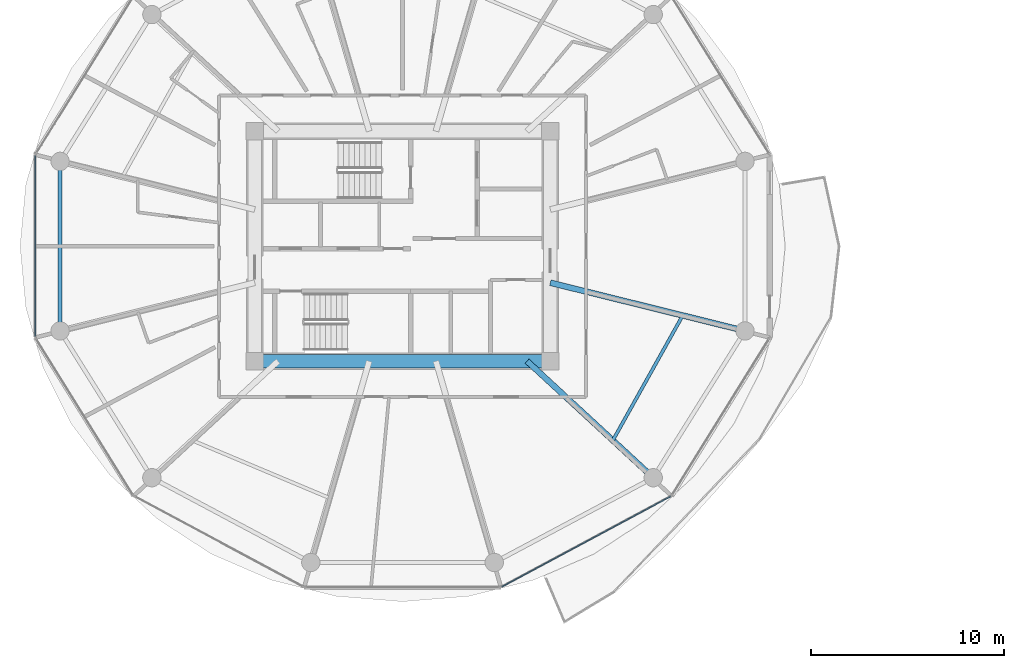
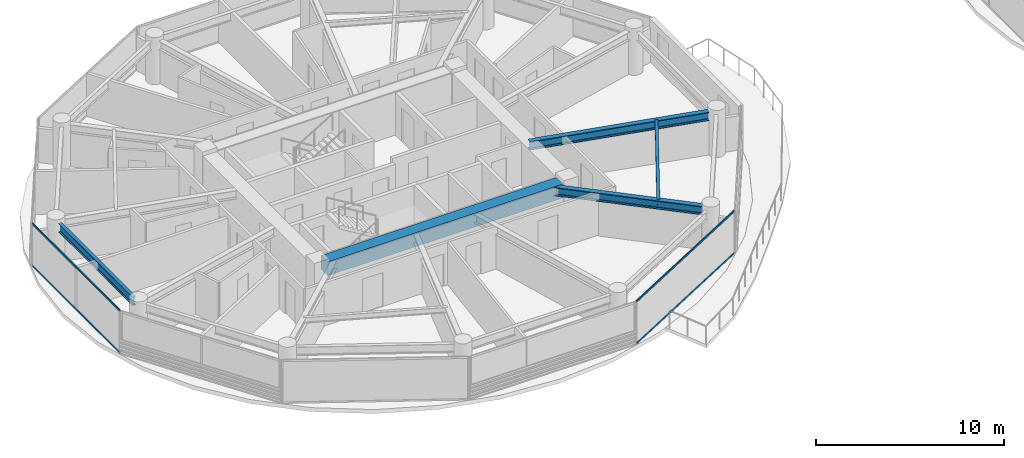
# One storey, part 3 of 27: 5 beams, 4 members, 2 elements without a shape of their own.
"""IFC4 building model written with IfcOpenShell, lengths in metres."""

import ifcopenshell
import ifcopenshell.guid

model = None  # the IFC model being written
_history = None  # IfcOwnerHistory: only IFC2X3 demands one
_inside = {}  # id of a spatial element -> (the spatial element, [elements in it])
_under = {}  # id of a project, library or spatial element -> (it, [spatial elements below it])
_declared = {}  # id of a project -> (the project, [libraries it declares])
_typed = {}  # id of a type object -> (the type object, [elements of that type])
_made_of = {}  # id of a material, layer set ... -> (it, [elements and type objects made of it])


def new_model(schema):
    """Start an empty IFC model of exactly this schema.

    Asked for "IFC4X3", IfcOpenShell would pick the latest addendum, in which some entities
    have other attributes; the version numbers below select the first issue.
    IFC2X3 requires an IfcOwnerHistory on every rooted entity: one is made here for all.
    """
    global model, _history
    if schema == "IFC4X3":
        model = ifcopenshell.file(schema_version=(4, 3, 0, 0))
    else:
        model = ifcopenshell.file(schema=schema)
    _inside.clear()
    _under.clear()
    _declared.clear()
    _typed.clear()
    _made_of.clear()
    _history = None
    if model.schema == "IFC2X3":
        org = make("IfcOrganization", Name="unknown")
        user = make(
            "IfcPersonAndOrganization",
            ThePerson=make("IfcPerson", FamilyName="unknown"),
            TheOrganization=org,
        )
        app = make(
            "IfcApplication",
            ApplicationDeveloper=org,
            Version="unknown",
            ApplicationFullName="unknown",
            ApplicationIdentifier="unknown",
        )
        _history = make(
            "IfcOwnerHistory",
            OwningUser=user,
            OwningApplication=app,
            ChangeAction="ADDED",
            CreationDate=0,
        )
    return model


def make(cls, **values):
    """One entity of the class cls with the attributes given. An attribute that is None is left unset."""
    return model.create_entity(
        cls, **{name: value for name, value in values.items() if value is not None}
    )


def rooted(cls, **values):
    """An entity with a GlobalId (a new one), such as an element, a storey or a relation."""
    return make(cls, GlobalId=ifcopenshell.guid.new(), OwnerHistory=_history, **values)


def si_unit(unit_type, name, prefix=None):
    """IfcSIUnit, for example si_unit("LENGTHUNIT", "METRE", prefix="MILLI")."""
    return make("IfcSIUnit", UnitType=unit_type, Prefix=prefix, Name=name)


def assignment(units):
    """IfcUnitAssignment: the units of a project."""
    return None if units is None else make("IfcUnitAssignment", Units=units)


def point(xyz):
    """IfcCartesianPoint."""
    return None if xyz is None else make("IfcCartesianPoint", Coordinates=xyz)


def direction(xyz):
    """IfcDirection."""
    return None if xyz is None else make("IfcDirection", DirectionRatios=xyz)


def frame(location, z_axis=None, x_axis=None):
    """IfcAxis2Placement3D, a coordinate frame: its origin and axes. An axis left out is left unset."""
    return make(
        "IfcAxis2Placement3D",
        Location=point(location),
        Axis=direction(z_axis),
        RefDirection=direction(x_axis),
    )


def frame_2d(location, x_axis=None):
    """IfcAxis2Placement2D, a coordinate frame in the plane: its origin and x axis."""
    return make(
        "IfcAxis2Placement2D", Location=point(location), RefDirection=direction(x_axis)
    )


def origin():
    """The frame at (0, 0, 0) with its axes left unset."""
    return frame((0.0, 0.0, 0.0))


def origin_2d():
    """The frame at (0, 0) in the plane with its x axis left unset."""
    return frame_2d((0.0, 0.0))


def place(relative_to, where):
    """IfcLocalPlacement: puts the frame where relative to a parent placement (None: the world)."""
    return make(
        "IfcLocalPlacement", PlacementRelTo=relative_to, RelativePlacement=where
    )


def context(
    kind, dimensions, precision=None, world=None, true_north=None, identifier=None
):
    """IfcGeometricRepresentationContext, for example the 3D "Model" context."""
    return make(
        "IfcGeometricRepresentationContext",
        ContextIdentifier=identifier,
        ContextType=kind,
        CoordinateSpaceDimension=dimensions,
        Precision=precision,
        WorldCoordinateSystem=world,
        TrueNorth=true_north,
    )


def subcontext(parent, identifier, kind, view, scale=None):
    """IfcGeometricRepresentationSubContext, for example "Body" below "Model"."""
    return make(
        "IfcGeometricRepresentationSubContext",
        ContextIdentifier=identifier,
        ContextType=kind,
        ParentContext=parent,
        TargetScale=scale,
        TargetView=view,
    )


def project(units=None, contexts=None):
    """IfcProject with its units and contexts."""
    return rooted(
        "IfcProject",
        Name="project",
        RepresentationContexts=contexts,
        UnitsInContext=assignment(units),
    )


def spatial(cls, under=None, at=None, **own):
    """A site, building, storey or space (cls), placed at a placement, below another one or the project."""
    s = rooted(cls, ObjectPlacement=at, **own)
    if under is not None:
        _under.setdefault(under.id(), (under, []))[1].append(s)
    return s


def profile(cls, at=None, kind="AREA", **sizes):
    """A parametric profile (cls). Its sizes go by their IFC names, for example OverallWidth=200.0."""
    return make(cls, ProfileType=kind, Position=at, **sizes)


def rectangle(**sizes):
    """IfcRectangleProfileDef."""
    return profile("IfcRectangleProfileDef", **sizes)


def i_section(**sizes):
    """IfcIShapeProfileDef."""
    return profile("IfcIShapeProfileDef", **sizes)


def extrude(swept, where, along, depth):
    """IfcExtrudedAreaSolid: the profile swept, set in the frame where, extruded along a direction by depth."""
    return make(
        "IfcExtrudedAreaSolid",
        SweptArea=swept,
        Position=where,
        ExtrudedDirection=direction(along),
        Depth=depth,
    )


def shape(context_of_items, identifier, shape_type, items):
    """IfcShapeRepresentation: the items that make up one representation, for example the "Body"."""
    return make(
        "IfcShapeRepresentation",
        ContextOfItems=context_of_items,
        RepresentationIdentifier=identifier,
        RepresentationType=shape_type,
        Items=items,
    )


def source(mapping_origin, context_of_items, identifier, shape_type, items):
    """IfcRepresentationMap: a shape defined once, which mapped items show again and again."""
    return make(
        "IfcRepresentationMap",
        MappingOrigin=mapping_origin,
        MappedRepresentation=shape(context_of_items, identifier, shape_type, items),
    )


def transform(
    local_origin,
    x_axis=None,
    y_axis=None,
    z_axis=None,
    scale=None,
    scale2=None,
    scale3=None,
    uniform=True,
):
    """IfcCartesianTransformationOperator3D, or its non-uniform kind. x_axis, y_axis, z_axis: its Axis1, 2, 3."""
    if uniform:
        return make(
            "IfcCartesianTransformationOperator3D",
            Axis1=direction(x_axis),
            Axis2=direction(y_axis),
            LocalOrigin=point(local_origin),
            Scale=scale,
            Axis3=direction(z_axis),
        )
    return make(
        "IfcCartesianTransformationOperator3DnonUniform",
        Axis1=direction(x_axis),
        Axis2=direction(y_axis),
        LocalOrigin=point(local_origin),
        Scale=scale,
        Axis3=direction(z_axis),
        Scale2=scale2,
        Scale3=scale3,
    )


def mapped(mapping_source, mapping_target):
    """IfcMappedItem: shows the shape of a source again, moved by a transform."""
    return make(
        "IfcMappedItem", MappingSource=mapping_source, MappingTarget=mapping_target
    )


def material(Name=None, Category=None):
    """IfcMaterial."""
    return make("IfcMaterial", Name=Name, Category=Category)


def layer(
    of_material, thickness, ventilated=None, Name=None, Category=None, Priority=None
):
    """IfcMaterialLayer: one layer of a wall or slab, of a material (None: an air gap)."""
    return make(
        "IfcMaterialLayer",
        Material=of_material,
        LayerThickness=thickness,
        IsVentilated=ventilated,
        Name=Name,
        Category=Category,
        Priority=Priority,
    )


def layer_set(layers, Name=None):
    """IfcMaterialLayerSet."""
    return make("IfcMaterialLayerSet", MaterialLayers=layers, LayerSetName=Name)


def material_profile(
    of_material, cross_section, Name=None, Category=None, Priority=None
):
    """IfcMaterialProfile: a cross section and its material."""
    return make(
        "IfcMaterialProfile",
        Name=Name,
        Material=of_material,
        Profile=cross_section,
        Priority=Priority,
        Category=Category,
    )


def profile_set(profiles, Name=None, composite=None):
    """IfcMaterialProfileSet."""
    return make(
        "IfcMaterialProfileSet",
        Name=Name,
        MaterialProfiles=profiles,
        CompositeProfile=composite,
    )


def made_of(thing, what):
    """Note that an element or type object is made of a material, layer set ...; save() writes the relation."""
    if what is not None:
        _made_of.setdefault(what.id(), (what, []))[1].append(thing)
    return thing


def type_object(cls, material=None, **own):
    """A type object (cls), such as IfcWallType, which elements share."""
    return made_of(rooted(cls, **own), material)


def type_shapes(of_type, sources):
    """Give a type object the sources (RepresentationMaps) that its elements show as mapped items."""
    of_type.RepresentationMaps = sources


def element(
    cls,
    number,
    at=None,
    inside=None,
    cuts=None,
    type_object=None,
    material=None,
    context=None,
    identifier="Body",
    shape_type=None,
    held_by="IfcProductDefinitionShape",
    body=None,
    shapes=None,
    **own,
):
    """One element of the class cls, such as IfcWall. Its Tag is "e" and its number.

    at: its placement. inside: the storey or other place that contains it. cuts: it is an
    opening in that element (IfcRelVoidsElement). A single representation is given by context,
    identifier, shape_type and body (its items); several are given by shapes. held_by: the class
    of the entity that holds the representations. save() writes the other relations.
    """
    e = rooted(cls, Tag="e%d" % number, ObjectPlacement=at, **own)
    if body is not None:
        shapes = [shape(context, identifier, shape_type, body)]
    if shapes is not None:
        e.Representation = make(held_by, Representations=shapes)
    if inside is not None:
        _inside.setdefault(inside.id(), (inside, []))[1].append(e)
    if cuts is not None:
        rooted(
            "IfcRelVoidsElement", RelatingBuildingElement=cuts, RelatedOpeningElement=e
        )
    if type_object is not None:
        _typed.setdefault(type_object.id(), (type_object, []))[1].append(e)
    return made_of(e, material)


def aggregate(whole, parts):
    """IfcRelAggregates: a whole, such as a stair, and the parts it consists of."""
    return rooted("IfcRelAggregates", RelatingObject=whole, RelatedObjects=parts)


def save(model, path):
    """Write the relations noted so far, then the file.

    IfcRelAggregates (storeys below a building ...), IfcRelContainedInSpatialStructure (elements
    in a storey), IfcRelDefinesByType, IfcRelAssociatesMaterial and IfcRelDeclares: one each for
    every whole, place, type object, material and project.
    """
    for whole, parts in _under.values():
        aggregate(whole, parts)
    for where, things in _inside.values():
        rooted(
            "IfcRelContainedInSpatialStructure",
            RelatedElements=things,
            RelatingStructure=where,
        )
    for kind, things in _typed.values():
        rooted("IfcRelDefinesByType", RelatedObjects=things, RelatingType=kind)
    for what, things in _made_of.values():
        rooted("IfcRelAssociatesMaterial", RelatedObjects=things, RelatingMaterial=what)
    for by, libraries in _declared.values():
        rooted("IfcRelDeclares", RelatingContext=by, RelatedDefinitions=libraries)
    model.write(path)


model = new_model("IFC4")

# Units and contexts
model_context = context("Model", 3, precision=1e-05, world=origin(), true_north=direction((0.0, 1.0)))
body_context = subcontext(model_context, "Body", "Model", "MODEL_VIEW")
ifc_project = project(units=[si_unit("LENGTHUNIT", "METRE"), si_unit("AREAUNIT", "SQUARE_METRE"), si_unit("VOLUMEUNIT", "CUBIC_METRE"), si_unit("PLANEANGLEUNIT", "RADIAN"), si_unit("MASSUNIT", "GRAM", prefix="KILO")], contexts=[model_context])

# Site, building, storey
site_placement = place(None, origin())
site = spatial("IfcSite", under=ifc_project, at=site_placement, CompositionType="ELEMENT")
building_placement = place(site_placement, origin())
building = spatial("IfcBuilding", under=site, at=building_placement, Name="Norrkilde Senior Care Towers", CompositionType="ELEMENT")
storey_placement = place(building_placement, frame((0.0, 0.0, 61.25)))
storey = spatial("IfcBuildingStorey", under=building, at=storey_placement, Name="L18", CompositionType="ELEMENT", Elevation=61.25)

# Beams
ifc_material_1 = material(Name="Concrete C60/75", Category="concrete")
ifc_material_profile_1 = material_profile(ifc_material_1, rectangle(XDim=0.699951171875, YDim=0.89990234375, at=origin_2d()), Name="RC BM 700x900")
ifc_profile_set_1 = profile_set([ifc_material_profile_1], Name="Concrete C60/75")
beam_type_1 = type_object("IfcBeamType", Name="Core Coupling Girder 700x900", PredefinedType="USERDEFINED", material=ifc_profile_set_1)
shared_shape_1 = source(origin(), body_context, "Body", "SweptSolid", [
    extrude(rectangle(XDim=0.699951171875, YDim=0.89990234375, at=origin_2d()), origin(), (0.0, 0.0, 1.0), 14.43994140625),
])
type_shapes(beam_type_1, [shared_shape_1])
beam_1_placement = place(storey_placement, frame((-35.219970703125, -5.949951171875, 2.340087890625), z_axis=(1.0, 0.0, 0.0), x_axis=(0.0, 1.0, 0.0)))
element("IfcBeam", 1, at=beam_1_placement, inside=storey, type_object=beam_type_1, Name="L18 Core W S Coupling Girder", ObjectType="GIRDER", PredefinedType="USERDEFINED", context=body_context, shape_type="MappedRepresentation", body=[
    mapped(shared_shape_1, transform((0.0, 0.0, 0.0), x_axis=(1.0, 0.0, 0.0), y_axis=(0.0, 1.0, 0.0), z_axis=(0.0, 0.0, 1.0), scale=1.0)),
])
ifc_material_2 = material(Name="Steel S355", Category="steel")
ifc_material_profile_2 = material_profile(ifc_material_2, i_section(OverallWidth=0.300048828125, OverallDepth=0.550048828125, WebThickness=0.014892578125, FlangeThickness=0.029052734375, FilletRadius=0.027099609375, at=origin_2d()), Name="HEB 550")
ifc_profile_set_2 = profile_set([ifc_material_profile_2], Name="Steel S355")
beam_type_2 = type_object("IfcBeamType", Name="Radial Floor Beam Z1 HEB550", PredefinedType="BEAM", material=ifc_profile_set_2)
shared_shape_2 = source(origin(), body_context, "Body", "SweptSolid", [
    extrude(i_section(OverallWidth=0.300048828125, OverallDepth=0.550048828125, WebThickness=0.014892578125, FlangeThickness=0.029052734375, FilletRadius=0.027099609375, at=origin_2d()), origin(), (0.0, 0.0, 1.0), 9.94384765625),
])
beam_2_placement = place(storey_placement, frame((-20.35009765625, -1.893310546875, 2.514892578125), z_axis=(0.970707425182, -0.240264634718, 0.0), x_axis=(0.240264634718, 0.970707425182, 0.0)))
element("IfcBeam", 2, at=beam_2_placement, inside=storey, type_object=beam_type_2, Name="L18 Drum W Radial Floor Beam 12", PredefinedType="BEAM", context=body_context, shape_type="MappedRepresentation", body=[
    mapped(shared_shape_2, transform((0.0, 0.0, 0.0), x_axis=(1.0, 0.0, 0.0), y_axis=(0.0, 1.0, 0.0), z_axis=(0.0, 0.0, 1.0), scale=1.0)),
])
shared_shape_3 = source(origin(), body_context, "Body", "SweptSolid", [
    extrude(i_section(OverallWidth=0.300048828125, OverallDepth=0.550048828125, WebThickness=0.014892578125, FlangeThickness=0.029052734375, FilletRadius=0.027099609375, at=origin_2d()), origin(), (0.0, 0.0, 1.0), 8.459716796875),
])
type_shapes(beam_type_2, [shared_shape_2, shared_shape_3])
beam_3_placement = place(storey_placement, frame((-21.55859375, -5.949951171875, 2.514892578125), z_axis=(0.734573269108, -0.678529374686, 0.0), x_axis=(0.678529374686, 0.734573269108, 0.0)))
element("IfcBeam", 3, at=beam_3_placement, inside=storey, type_object=beam_type_2, Name="L18 Drum W Radial Floor Beam 11", PredefinedType="BEAM", context=body_context, shape_type="MappedRepresentation", body=[
    mapped(shared_shape_3, transform((0.0, 0.0, 0.0), x_axis=(1.0, 0.0, 0.0), y_axis=(0.0, 1.0, 0.0), z_axis=(0.0, 0.0, 1.0), scale=1.0)),
])
ifc_material_profile_3 = material_profile(ifc_material_2, i_section(OverallWidth=0.2099609375, OverallDepth=0.550048828125, WebThickness=0.010986328125, FlangeThickness=0.01708984375, FilletRadius=0.02392578125, at=origin_2d()), Name="IPE 550")
ifc_profile_set_3 = profile_set([ifc_material_profile_3], Name="Steel S355")
beam_type_3 = type_object("IfcBeamType", Name="Perimeter Ring Spandrel Z1 IPE550", PredefinedType="SPANDREL", material=ifc_profile_set_3)
shared_shape_4 = source(origin(), body_context, "Body", "SweptSolid", [
    extrude(i_section(OverallWidth=0.2099609375, OverallDepth=0.550048828125, WebThickness=0.010986328125, FlangeThickness=0.01708984375, FilletRadius=0.02392578125, at=origin_2d()), origin(), (0.0, 0.0, 1.0), 7.90380859375),
])
type_shapes(beam_type_3, [shared_shape_4])
beam_4_placement = place(storey_placement, frame((-45.724853515625, 3.951904296875, 2.514892578125), z_axis=(0.0, -1.0, 0.0), x_axis=(1.0, 0.0, 0.0)))
element("IfcBeam", 4, at=beam_4_placement, inside=storey, type_object=beam_type_3, Name="L18 Drum W Perimeter Spandrel 06", PredefinedType="SPANDREL", context=body_context, shape_type="MappedRepresentation", body=[
    mapped(shared_shape_4, transform((0.0, 0.0, 0.0), x_axis=(1.0, 0.0, 0.0), y_axis=(0.0, 1.0, 0.0), z_axis=(0.0, 0.0, 1.0), scale=1.0)),
])
ifc_material_profile_4 = material_profile(ifc_material_2, i_section(OverallWidth=0.169921875, OverallDepth=0.360107421875, WebThickness=0.008056640625, FlangeThickness=0.0126953125, FilletRadius=0.01806640625, at=origin_2d()), Name="IPE 360")
ifc_profile_set_4 = profile_set([ifc_material_profile_4], Name="Steel S355")
beam_type_4 = type_object("IfcBeamType", Name="Secondary Floor Joist IPE360", PredefinedType="JOIST", material=ifc_profile_set_4)
shared_shape_5 = source(origin(), body_context, "Body", "SweptSolid", [
    extrude(i_section(OverallWidth=0.169921875, OverallDepth=0.360107421875, WebThickness=0.008056640625, FlangeThickness=0.0126953125, FilletRadius=0.01806640625, at=origin_2d()), origin(), (0.0, 0.0, 1.0), 7.40771484375),
])
type_shapes(beam_type_4, [shared_shape_5])
beam_5_placement = place(storey_placement, frame((-17.115478515625, -10.05419921875, 2.610107421875), z_axis=(0.488167754092, 0.872749817453, 0.0), x_axis=(-0.872749817453, 0.488167754092, 0.0)))
element("IfcBeam", 5, at=beam_5_placement, inside=storey, type_object=beam_type_4, Name="L18 Drum W Secondary Floor Joist 4", PredefinedType="JOIST", context=body_context, shape_type="MappedRepresentation", body=[
    mapped(shared_shape_5, transform((0.0, 0.0, 0.0), x_axis=(1.0, 0.0, 0.0), y_axis=(0.0, 1.0, 0.0), z_axis=(0.0, 0.0, 1.0), scale=1.0)),
])

# Curtain wall, members
ifc_material_3 = material(Name="Triple Low-E Insulated Glazing", Category="glass")
ifc_layer = layer(ifc_material_3, 0.199951171875)
ifc_layer_set = layer_set([ifc_layer], Name="Triple Low-E Insulated Glazing")
curtain_wall_type = type_object("IfcCurtainWallType", Name="CW2 Zone 1 Memory Care Curtain Wall", PredefinedType="NOTDEFINED", material=ifc_layer_set)
curtain_wall_1_placement = place(storey_placement, origin())
curtain_wall_1 = element("IfcCurtainWall", 6, at=curtain_wall_1_placement, inside=storey, type_object=curtain_wall_type, Name="L18 Drum W Curtain Wall 09", PredefinedType="NOTDEFINED")
ifc_material_4 = material(Name="Anodised Aluminium", Category="aluminium")
ifc_material_profile_5 = material_profile(ifc_material_4, rectangle(XDim=0.06005859375, YDim=0.1201171875, at=origin_2d()), Name="ALU TRAN 60x120")
ifc_profile_set_5 = profile_set([ifc_material_profile_5], Name="Anodised Aluminium")
member_type = type_object("IfcMemberType", Name="Curtain Wall Transom Typical 60x120", PredefinedType="USERDEFINED", material=ifc_profile_set_5)
shared_shape_6 = source(origin(), body_context, "Body", "SweptSolid", [
    extrude(rectangle(XDim=0.06005859375, YDim=0.1201171875, at=origin_2d()), origin(), (0.0, 0.0, 1.0), 9.880859375),
])
member_1_placement = place(storey_placement, frame((-14.141357421875, -12.95654296875, 0.030029296875), z_axis=(-0.881267204043, -0.47261836092, 0.0), x_axis=(0.47261836092, -0.881267204043, 0.0)))
member_1 = element("IfcMember", 7, at=member_1_placement, type_object=member_type, Name="CW-2 transom 1.1", ObjectType="TRANSOM", PredefinedType="USERDEFINED", context=body_context, shape_type="MappedRepresentation", body=[
    mapped(shared_shape_6, transform((0.0, 0.0, 0.0), x_axis=(1.0, 0.0, 0.0), y_axis=(0.0, 1.0, 0.0), z_axis=(0.0, 0.0, 1.0), scale=1.0)),
])
member_2_placement = place(storey_placement, frame((-14.141357421875, -12.95654296875, 2.760009765625), z_axis=(-0.881267204043, -0.47261836092, 0.0), x_axis=(0.47261836092, -0.881267204043, 0.0)))
member_2 = element("IfcMember", 8, at=member_2_placement, type_object=member_type, Name="CW-2 transom 1.2", ObjectType="TRANSOM", PredefinedType="USERDEFINED", context=body_context, shape_type="MappedRepresentation", body=[
    mapped(shared_shape_6, transform((0.0, 0.0, 0.0), x_axis=(1.0, 0.0, 0.0), y_axis=(0.0, 1.0, 0.0), z_axis=(0.0, 0.0, 1.0), scale=1.0)),
])
aggregate(curtain_wall_1, [member_1, member_2])

curtain_wall_2_placement = place(storey_placement, origin())
curtain_wall_2 = element("IfcCurtainWall", 9, at=curtain_wall_2_placement, inside=storey, type_object=curtain_wall_type, Name="L18 Drum W Curtain Wall 05", PredefinedType="NOTDEFINED")
shared_shape_7 = source(origin(), body_context, "Body", "SweptSolid", [
    extrude(rectangle(XDim=0.06005859375, YDim=0.1201171875, at=origin_2d()), origin(), (0.0, 0.0, 1.0), 9.33251953125),
])
type_shapes(member_type, [shared_shape_6, shared_shape_7])
member_3_placement = place(storey_placement, frame((-47.009521484375, -4.666259765625, 0.030029296875), z_axis=(0.0, 1.0, 0.0), x_axis=(-1.0, 0.0, 0.0)))
member_3 = element("IfcMember", 10, at=member_3_placement, type_object=member_type, Name="CW-2 transom 1.1", ObjectType="TRANSOM", PredefinedType="USERDEFINED", context=body_context, shape_type="MappedRepresentation", body=[
    mapped(shared_shape_7, transform((0.0, 0.0, 0.0), x_axis=(1.0, 0.0, 0.0), y_axis=(0.0, 1.0, 0.0), z_axis=(0.0, 0.0, 1.0), scale=1.0)),
])
member_4_placement = place(storey_placement, frame((-47.009521484375, -4.666259765625, 2.760009765625), z_axis=(0.0, 1.0, 0.0), x_axis=(-1.0, 0.0, 0.0)))
member_4 = element("IfcMember", 11, at=member_4_placement, type_object=member_type, Name="CW-2 transom 1.2", ObjectType="TRANSOM", PredefinedType="USERDEFINED", context=body_context, shape_type="MappedRepresentation", body=[
    mapped(shared_shape_7, transform((0.0, 0.0, 0.0), x_axis=(1.0, 0.0, 0.0), y_axis=(0.0, 1.0, 0.0), z_axis=(0.0, 0.0, 1.0), scale=1.0)),
])
aggregate(curtain_wall_2, [member_3, member_4])

save(model, "model.ifc")
